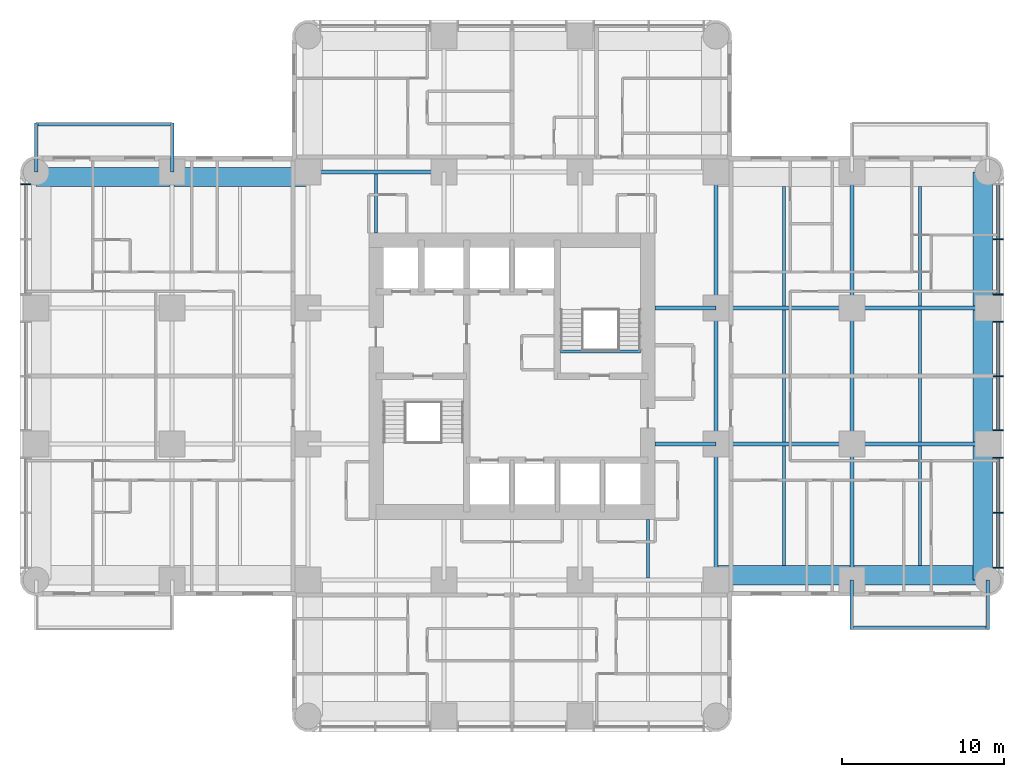
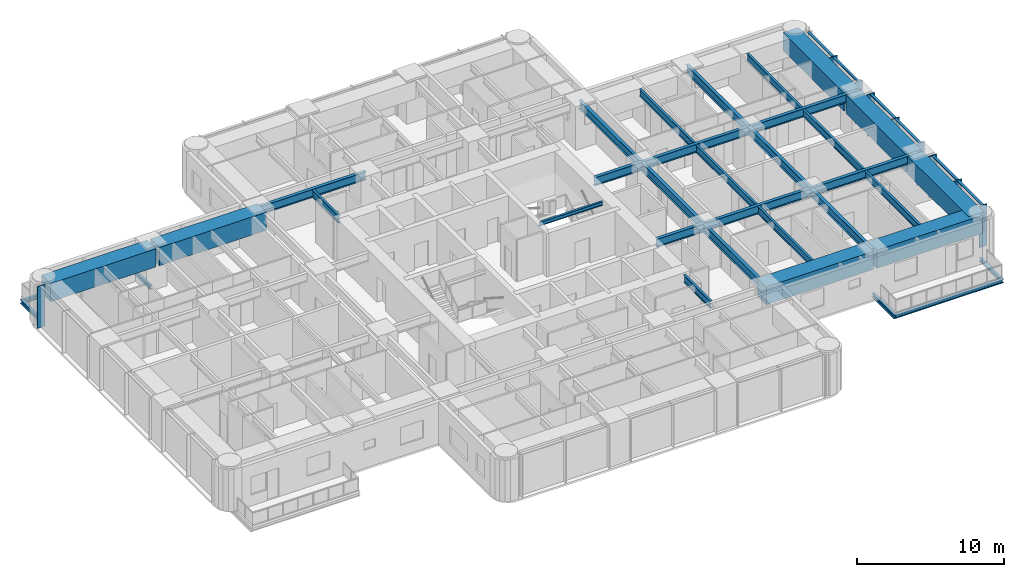
# One storey, part 3 of 15: 35 beams, 15 members, 2 elements without a shape of their own.
"""IFC4 building model written with IfcOpenShell, lengths in metres."""

from ifc_helpers import new_model, si_unit, direction, frame, origin, origin_2d, place, context, subcontext, project, spatial, rectangle, i_section, extrude, material, material_profile, profile_set, type_object, element, aggregate, save


model = new_model("IFC4")

# Units and contexts
model_context = context("Model", 3, precision=1e-05, world=origin(), true_north=direction((0.0, 1.0)))
body_context = subcontext(model_context, "Body", "Model", "MODEL_VIEW")
ifc_project = project(units=[si_unit("LENGTHUNIT", "METRE"), si_unit("AREAUNIT", "SQUARE_METRE"), si_unit("VOLUMEUNIT", "CUBIC_METRE"), si_unit("PLANEANGLEUNIT", "RADIAN"), si_unit("MASSUNIT", "GRAM", prefix="KILO")], contexts=[model_context])

# Site, building, storey
site_placement = place(None, origin())
site = spatial("IfcSite", under=ifc_project, at=site_placement, CompositionType="ELEMENT")
building_placement = place(site_placement, origin())
building = spatial("IfcBuilding", under=site, at=building_placement, Name="Torre Alcanfor", CompositionType="ELEMENT")
storey_placement = place(building_placement, frame((0.0, 0.0, 152.10009765625)))
storey = spatial("IfcBuildingStorey", under=building, at=storey_placement, Name="L39", CompositionType="ELEMENT", Elevation=152.10009765625)

# Beams
ifc_material_1 = material(Name="Steel ASTM A992 Grade 50", Category="steel")
ifc_material_profile_1 = material_profile(ifc_material_1, i_section(OverallWidth=0.205322265625, OverallDepth=0.309814453125, WebThickness=0.00927734375, FlangeThickness=0.016357421875, at=origin_2d()), Name="W12x50")
ifc_profile_set_1 = profile_set([ifc_material_profile_1], Name="Steel ASTM A992 Grade 50")
beam_type_1 = type_object("IfcBeamType", Name="Balcony cantilever beam W12x50", PredefinedType="BEAM", material=ifc_profile_set_1)
for number, where, z_axis, x_axis, name in (
    (1, (50.39990234375, 16.800048828125, -0.35498046875), (0.0, -1.0, 0.0), (1.0, 0.0, 0.0), "Balcony cantilever beam L39-E2 1"),
    (2, (58.800048828125, 16.800048828125, -0.35498046875), (0.0, -1.0, 0.0), (1.0, 0.0, 0.0), "Balcony cantilever beam L39-E2 2"),
    (3, (8.39990234375, 42.0, -0.35498046875), (0.0, 1.0, 0.0), (-1.0, 0.0, 0.0), "Balcony cantilever beam L39-W2 1"),
    (4, (0.0, 42.0, -0.35498046875), (0.0, 1.0, 0.0), (-1.0, 0.0, 0.0), "Balcony cantilever beam L39-W2 2"),
):
    element("IfcBeam", number, at=place(storey_placement, frame(where, z_axis=z_axis, x_axis=x_axis)), inside=storey, type_object=beam_type_1, Name=name, PredefinedType="BEAM", context=body_context, shape_type="SweptSolid", body=[
        extrude(i_section(OverallWidth=0.205322265625, OverallDepth=0.309814453125, WebThickness=0.00927734375, FlangeThickness=0.016357421875, at=origin_2d()), origin(), (0.0, 0.0, 1.0), 3.050048828125),
    ])
ifc_material_2 = material(Name="Steel ASTM A992 Grade 50", Category="steel")
ifc_material_profile_2 = material_profile(ifc_material_2, i_section(OverallWidth=0.203369140625, OverallDepth=0.30224609375, WebThickness=0.007568359375, FlangeThickness=0.01318359375, at=origin_2d()), Name="W12x40")
ifc_profile_set_2 = profile_set([ifc_material_profile_2], Name="Steel ASTM A992 Grade 50")
beam_type_2 = type_object("IfcBeamType", Name="Balcony edge trimmer W12x40", PredefinedType="BEAM", material=ifc_profile_set_2)
beam_1_placement = place(storey_placement, frame((50.39990234375, 13.851806640625, -0.351318359375), z_axis=(1.0, 0.0, 0.0), x_axis=(0.0, 1.0, 0.0)))
element("IfcBeam", 5, at=beam_1_placement, inside=storey, type_object=beam_type_2, Name="Balcony edge trimmer L39-E2", PredefinedType="BEAM", context=body_context, shape_type="SweptSolid", body=[
    extrude(i_section(OverallWidth=0.203369140625, OverallDepth=0.30224609375, WebThickness=0.007568359375, FlangeThickness=0.01318359375, at=origin_2d()), origin(), (0.0, 0.0, 1.0), 8.400146484375),
])
beam_2_placement = place(storey_placement, frame((8.39990234375, 44.9482421875, -0.351318359375), z_axis=(-1.0, 0.0, 0.0), x_axis=(0.0, -1.0, 0.0)))
element("IfcBeam", 6, at=beam_2_placement, inside=storey, type_object=beam_type_2, Name="Balcony edge trimmer L39-W2", PredefinedType="BEAM", context=body_context, shape_type="SweptSolid", body=[
    extrude(i_section(OverallWidth=0.203369140625, OverallDepth=0.30224609375, WebThickness=0.007568359375, FlangeThickness=0.01318359375, at=origin_2d()), origin(), (0.0, 0.0, 1.0), 8.39990234375),
])

# Curtain wall, member
ifc_material_3 = material(Name="Aluminium and glass", Category="aluminium")
curtain_wall_type = type_object("IfcCurtainWallType", Name="CW-A unitised apartment glazing with vertical FIN", PredefinedType="NOTDEFINED", material=ifc_material_3)
curtain_wall_1_placement = place(storey_placement, origin())
curtain_wall_1 = element("IfcCurtainWall", 7, at=curtain_wall_1_placement, inside=storey, type_object=curtain_wall_type, Name="Curtain wall CW-A L39 2", PredefinedType="NOTDEFINED")
ifc_material_4 = material(Name="Bronze anodised aluminium", Category="aluminium")
ifc_material_profile_3 = material_profile(ifc_material_4, rectangle(XDim=0.60009765625, YDim=0.06494140625, at=origin_2d()), Name="CW-A mullion 65x600")
ifc_profile_set_3 = profile_set([ifc_material_profile_3], Name="Bronze anodised aluminium")
member_type_1 = type_object("IfcMemberType", Name="CW-A mullion with vertical FIN 65x600", PredefinedType="MULLION", material=ifc_profile_set_3)
member_1_placement = place(storey_placement, frame((-0.64990234375, 41.24267578125, 0.0), z_axis=(0.0, 0.0, 1.0), x_axis=(1.0, 0.0, 0.0)))
member_1 = element("IfcMember", 8, at=member_1_placement, type_object=member_type_1, Name="CW-A mullion 1.1", PredefinedType="MULLION", context=body_context, shape_type="SweptSolid", body=[
    extrude(rectangle(XDim=0.60009765625, YDim=0.06494140625, at=origin_2d()), origin(), (0.0, 0.0, 1.0), 3.449951171875),
])
aggregate(curtain_wall_1, [member_1])

# Curtain wall, members
curtain_wall_2_placement = place(storey_placement, origin())
curtain_wall_2 = element("IfcCurtainWall", 9, at=curtain_wall_2_placement, inside=storey, type_object=curtain_wall_type, Name="Curtain wall CW-A L39 8", PredefinedType="NOTDEFINED")
member_2_placement = place(storey_placement, frame((59.449951171875, 17.557373046875, 0.0), z_axis=(0.0, 0.0, 1.0), x_axis=(-1.0, 0.0, 0.0)))
member_2 = element("IfcMember", 10, at=member_2_placement, type_object=member_type_1, Name="CW-A mullion 1.1", PredefinedType="MULLION", context=body_context, shape_type="SweptSolid", body=[
    extrude(rectangle(XDim=0.60009765625, YDim=0.06494140625, at=origin_2d()), origin(), (0.0, 0.0, 1.0), 3.449951171875),
])
member_3_placement = place(storey_placement, frame((59.449951171875, 20.9599609375, 0.0), z_axis=(0.0, 0.0, 1.0), x_axis=(-1.0, 0.0, 0.0)))
member_3 = element("IfcMember", 11, at=member_3_placement, type_object=member_type_1, Name="CW-A mullion 1.2", PredefinedType="MULLION", context=body_context, shape_type="SweptSolid", body=[
    extrude(rectangle(XDim=0.60009765625, YDim=0.06494140625, at=origin_2d()), origin(), (0.0, 0.0, 1.0), 3.449951171875),
])
member_4_placement = place(storey_placement, frame((59.449951171875, 24.362548828125, 0.0), z_axis=(0.0, 0.0, 1.0), x_axis=(-1.0, 0.0, 0.0)))
member_4 = element("IfcMember", 12, at=member_4_placement, type_object=member_type_1, Name="CW-A mullion 1.3", PredefinedType="MULLION", context=body_context, shape_type="SweptSolid", body=[
    extrude(rectangle(XDim=0.60009765625, YDim=0.06494140625, at=origin_2d()), origin(), (0.0, 0.0, 1.0), 3.449951171875),
])
member_5_placement = place(storey_placement, frame((59.449951171875, 26.03759765625, 0.0), z_axis=(0.0, 0.0, 1.0), x_axis=(-1.0, 0.0, 0.0)))
member_5 = element("IfcMember", 13, at=member_5_placement, type_object=member_type_1, Name="CW-A mullion 2.1", PredefinedType="MULLION", context=body_context, shape_type="SweptSolid", body=[
    extrude(rectangle(XDim=0.60009765625, YDim=0.06494140625, at=origin_2d()), origin(), (0.0, 0.0, 1.0), 3.449951171875),
])
member_6_placement = place(storey_placement, frame((59.449951171875, 29.39990234375, 0.0), z_axis=(0.0, 0.0, 1.0), x_axis=(-1.0, 0.0, 0.0)))
member_6 = element("IfcMember", 14, at=member_6_placement, type_object=member_type_1, Name="CW-A mullion 2.2", PredefinedType="MULLION", context=body_context, shape_type="SweptSolid", body=[
    extrude(rectangle(XDim=0.60009765625, YDim=0.06494140625, at=origin_2d()), origin(), (0.0, 0.0, 1.0), 3.449951171875),
])
member_7_placement = place(storey_placement, frame((59.449951171875, 32.762451171875, 0.0), z_axis=(0.0, 0.0, 1.0), x_axis=(-1.0, 0.0, 0.0)))
member_7 = element("IfcMember", 15, at=member_7_placement, type_object=member_type_1, Name="CW-A mullion 2.3", PredefinedType="MULLION", context=body_context, shape_type="SweptSolid", body=[
    extrude(rectangle(XDim=0.60009765625, YDim=0.06494140625, at=origin_2d()), origin(), (0.0, 0.0, 1.0), 3.449951171875),
])
member_8_placement = place(storey_placement, frame((59.449951171875, 34.4375, 0.0), z_axis=(0.0, 0.0, 1.0), x_axis=(-1.0, 0.0, 0.0)))
member_8 = element("IfcMember", 16, at=member_8_placement, type_object=member_type_1, Name="CW-A mullion 3.1", PredefinedType="MULLION", context=body_context, shape_type="SweptSolid", body=[
    extrude(rectangle(XDim=0.60009765625, YDim=0.06494140625, at=origin_2d()), origin(), (0.0, 0.0, 1.0), 3.449951171875),
])
member_9_placement = place(storey_placement, frame((59.449951171875, 37.840087890625, 0.0), z_axis=(0.0, 0.0, 1.0), x_axis=(-1.0, 0.0, 0.0)))
member_9 = element("IfcMember", 17, at=member_9_placement, type_object=member_type_1, Name="CW-A mullion 3.2", PredefinedType="MULLION", context=body_context, shape_type="SweptSolid", body=[
    extrude(rectangle(XDim=0.60009765625, YDim=0.06494140625, at=origin_2d()), origin(), (0.0, 0.0, 1.0), 3.449951171875),
])
ifc_material_5 = material(Name="Extruded aluminium", Category="aluminium")
ifc_material_profile_4 = material_profile(ifc_material_5, rectangle(XDim=0.199951171875, YDim=0.06494140625, at=origin_2d()), Name="CW-A transom 200x65")
ifc_profile_set_4 = profile_set([ifc_material_profile_4], Name="Extruded aluminium")
member_type_2 = type_object("IfcMemberType", Name="CW-A transom 65x200", PredefinedType="USERDEFINED", material=ifc_profile_set_4)
member_10_placement = place(storey_placement, frame((59.449951171875, 17.58984375, 3.41748046875), z_axis=(0.0, 1.0, 0.0), x_axis=(-1.0, 0.0, 0.0)))
member_10 = element("IfcMember", 18, at=member_10_placement, type_object=member_type_2, Name="CW-A transom 1.1.2", ObjectType="TRANSOM", PredefinedType="USERDEFINED", context=body_context, shape_type="SweptSolid", body=[
    extrude(rectangle(XDim=0.199951171875, YDim=0.06494140625, at=origin_2d()), origin(), (0.0, 0.0, 1.0), 3.337646484375),
])
member_11_placement = place(storey_placement, frame((59.449951171875, 20.992431640625, 3.41748046875), z_axis=(0.0, 1.0, 0.0), x_axis=(-1.0, 0.0, 0.0)))
member_11 = element("IfcMember", 19, at=member_11_placement, type_object=member_type_2, Name="CW-A transom 1.2.2", ObjectType="TRANSOM", PredefinedType="USERDEFINED", context=body_context, shape_type="SweptSolid", body=[
    extrude(rectangle(XDim=0.199951171875, YDim=0.06494140625, at=origin_2d()), origin(), (0.0, 0.0, 1.0), 3.337646484375),
])
member_12_placement = place(storey_placement, frame((59.449951171875, 26.070068359375, 3.41748046875), z_axis=(0.0, 1.0, 0.0), x_axis=(-1.0, 0.0, 0.0)))
member_12 = element("IfcMember", 20, at=member_12_placement, type_object=member_type_2, Name="CW-A transom 2.1.2", ObjectType="TRANSOM", PredefinedType="USERDEFINED", context=body_context, shape_type="SweptSolid", body=[
    extrude(rectangle(XDim=0.199951171875, YDim=0.06494140625, at=origin_2d()), origin(), (0.0, 0.0, 1.0), 3.29736328125),
])
member_13_placement = place(storey_placement, frame((59.449951171875, 29.4326171875, 3.41748046875), z_axis=(0.0, 1.0, 0.0), x_axis=(-1.0, 0.0, 0.0)))
member_13 = element("IfcMember", 21, at=member_13_placement, type_object=member_type_2, Name="CW-A transom 2.2.2", ObjectType="TRANSOM", PredefinedType="USERDEFINED", context=body_context, shape_type="SweptSolid", body=[
    extrude(rectangle(XDim=0.199951171875, YDim=0.06494140625, at=origin_2d()), origin(), (0.0, 0.0, 1.0), 3.29736328125),
])
member_14_placement = place(storey_placement, frame((59.449951171875, 34.469970703125, 3.41748046875), z_axis=(0.0, 1.0, 0.0), x_axis=(-1.0, 0.0, 0.0)))
member_14 = element("IfcMember", 22, at=member_14_placement, type_object=member_type_2, Name="CW-A transom 3.1.2", ObjectType="TRANSOM", PredefinedType="USERDEFINED", context=body_context, shape_type="SweptSolid", body=[
    extrude(rectangle(XDim=0.199951171875, YDim=0.06494140625, at=origin_2d()), origin(), (0.0, 0.0, 1.0), 3.337646484375),
])
member_15_placement = place(storey_placement, frame((59.449951171875, 37.87255859375, 3.41748046875), z_axis=(0.0, 1.0, 0.0), x_axis=(-1.0, 0.0, 0.0)))
member_15 = element("IfcMember", 23, at=member_15_placement, type_object=member_type_2, Name="CW-A transom 3.2.2", ObjectType="TRANSOM", PredefinedType="USERDEFINED", context=body_context, shape_type="SweptSolid", body=[
    extrude(rectangle(XDim=0.199951171875, YDim=0.06494140625, at=origin_2d()), origin(), (0.0, 0.0, 1.0), 3.337646484375),
])
aggregate(curtain_wall_2, [member_2, member_3, member_4, member_10, member_11, member_5, member_6, member_7, member_12, member_13, member_8, member_9, member_14, member_15])

# Beams
ifc_material_6 = material(Name="Steel ASTM A992 Grade 50", Category="steel")
ifc_material_profile_5 = material_profile(ifc_material_6, i_section(OverallWidth=0.25390625, OverallDepth=0.683349609375, WebThickness=0.012451171875, FlangeThickness=0.01904296875, at=origin_2d()), Name="W27x94")
ifc_profile_set_5 = profile_set([ifc_material_profile_5], Name="Steel ASTM A992 Grade 50")
beam_type_3 = type_object("IfcBeamType", Name="Girder W27x94", PredefinedType="BEAM", material=ifc_profile_set_5)
beam_3_placement = place(storey_placement, frame((42.0, 25.199951171875, 3.108154296875), z_axis=(1.0, 0.0, 0.0), x_axis=(0.0, 1.0, 0.0)))
element("IfcBeam", 24, at=beam_3_placement, inside=storey, type_object=beam_type_3, Name="Beam 6F-7F under L40", PredefinedType="BEAM", context=body_context, shape_type="SweptSolid", body=[
    extrude(i_section(OverallWidth=0.25390625, OverallDepth=0.683349609375, WebThickness=0.012451171875, FlangeThickness=0.01904296875, at=origin_2d()), origin(), (0.0, 0.0, 1.0), 8.39990234375),
])
beam_4_placement = place(storey_placement, frame((50.39990234375, 25.199951171875, 3.108154296875), z_axis=(1.0, 0.0, 0.0), x_axis=(0.0, 1.0, 0.0)))
element("IfcBeam", 25, at=beam_4_placement, inside=storey, type_object=beam_type_3, Name="Beam 7F-8F under L40", PredefinedType="BEAM", context=body_context, shape_type="SweptSolid", body=[
    extrude(i_section(OverallWidth=0.25390625, OverallDepth=0.683349609375, WebThickness=0.012451171875, FlangeThickness=0.01904296875, at=origin_2d()), origin(), (0.0, 0.0, 1.0), 8.400146484375),
])
beam_5_placement = place(storey_placement, frame((42.0, 33.60009765625, 3.108154296875), z_axis=(1.0, 0.0, 0.0), x_axis=(0.0, 1.0, 0.0)))
element("IfcBeam", 26, at=beam_5_placement, inside=storey, type_object=beam_type_3, Name="Beam 6G-7G under L40", PredefinedType="BEAM", context=body_context, shape_type="SweptSolid", body=[
    extrude(i_section(OverallWidth=0.25390625, OverallDepth=0.683349609375, WebThickness=0.012451171875, FlangeThickness=0.01904296875, at=origin_2d()), origin(), (0.0, 0.0, 1.0), 8.39990234375),
])
beam_6_placement = place(storey_placement, frame((50.39990234375, 33.60009765625, 3.108154296875), z_axis=(1.0, 0.0, 0.0), x_axis=(0.0, 1.0, 0.0)))
element("IfcBeam", 27, at=beam_6_placement, inside=storey, type_object=beam_type_3, Name="Beam 7G-8G under L40", PredefinedType="BEAM", context=body_context, shape_type="SweptSolid", body=[
    extrude(i_section(OverallWidth=0.25390625, OverallDepth=0.683349609375, WebThickness=0.012451171875, FlangeThickness=0.01904296875, at=origin_2d()), origin(), (0.0, 0.0, 1.0), 8.400146484375),
])
for number, where, z_axis, x_axis, name in (
    (28, (16.800048828125, 42.0, 3.108154296875), (1.0, 0.0, 0.0), (0.0, 1.0, 0.0), "Beam 3H-4H under L40"),
    (29, (42.0, 16.800048828125, 3.108154296875), (0.0, 1.0, 0.0), (-1.0, 0.0, 0.0), "Beam 6E-6F under L40"),
):
    element("IfcBeam", number, at=place(storey_placement, frame(where, z_axis=z_axis, x_axis=x_axis)), inside=storey, type_object=beam_type_3, Name=name, PredefinedType="BEAM", context=body_context, shape_type="SweptSolid", body=[
        extrude(i_section(OverallWidth=0.25390625, OverallDepth=0.683349609375, WebThickness=0.012451171875, FlangeThickness=0.01904296875, at=origin_2d()), origin(), (0.0, 0.0, 1.0), 8.39990234375),
    ])
beam_7_placement = place(storey_placement, frame((42.0, 25.199951171875, 3.108154296875), z_axis=(0.0, 1.0, 0.0), x_axis=(-1.0, 0.0, 0.0)))
element("IfcBeam", 30, at=beam_7_placement, inside=storey, type_object=beam_type_3, Name="Beam 6F-6G under L40", PredefinedType="BEAM", context=body_context, shape_type="SweptSolid", body=[
    extrude(i_section(OverallWidth=0.25390625, OverallDepth=0.683349609375, WebThickness=0.012451171875, FlangeThickness=0.01904296875, at=origin_2d()), origin(), (0.0, 0.0, 1.0), 8.400146484375),
])
for number, where, z_axis, x_axis, name in (
    (31, (42.0, 33.60009765625, 3.108154296875), (0.0, 1.0, 0.0), (-1.0, 0.0, 0.0), "Beam 6G-6H under L40"),
    (32, (50.39990234375, 16.800048828125, 3.108154296875), (0.0, 1.0, 0.0), (-1.0, 0.0, 0.0), "Beam 7E-7F under L40"),
):
    element("IfcBeam", number, at=place(storey_placement, frame(where, z_axis=z_axis, x_axis=x_axis)), inside=storey, type_object=beam_type_3, Name=name, PredefinedType="BEAM", context=body_context, shape_type="SweptSolid", body=[
        extrude(i_section(OverallWidth=0.25390625, OverallDepth=0.683349609375, WebThickness=0.012451171875, FlangeThickness=0.01904296875, at=origin_2d()), origin(), (0.0, 0.0, 1.0), 8.39990234375),
    ])
beam_8_placement = place(storey_placement, frame((50.39990234375, 25.199951171875, 3.108154296875), z_axis=(0.0, 1.0, 0.0), x_axis=(-1.0, 0.0, 0.0)))
element("IfcBeam", 33, at=beam_8_placement, inside=storey, type_object=beam_type_3, Name="Beam 7F-7G under L40", PredefinedType="BEAM", context=body_context, shape_type="SweptSolid", body=[
    extrude(i_section(OverallWidth=0.25390625, OverallDepth=0.683349609375, WebThickness=0.012451171875, FlangeThickness=0.01904296875, at=origin_2d()), origin(), (0.0, 0.0, 1.0), 8.400146484375),
])
beam_9_placement = place(storey_placement, frame((50.39990234375, 33.60009765625, 3.108154296875), z_axis=(0.0, 1.0, 0.0), x_axis=(-1.0, 0.0, 0.0)))
element("IfcBeam", 34, at=beam_9_placement, inside=storey, type_object=beam_type_3, Name="Beam 7G-7H under L40", PredefinedType="BEAM", context=body_context, shape_type="SweptSolid", body=[
    extrude(i_section(OverallWidth=0.25390625, OverallDepth=0.683349609375, WebThickness=0.012451171875, FlangeThickness=0.01904296875, at=origin_2d()), origin(), (0.0, 0.0, 1.0), 8.39990234375),
])
ifc_material_7 = material(Name="Steel ASTM A992 Grade 50", Category="steel")
ifc_material_profile_6 = material_profile(ifc_material_7, i_section(OverallWidth=0.25390625, OverallDepth=0.683349609375, WebThickness=0.012451171875, FlangeThickness=0.01904296875, at=origin_2d()), Name="W27x94")
ifc_profile_set_6 = profile_set([ifc_material_profile_6], Name="Steel ASTM A992 Grade 50")
beam_type_4 = type_object("IfcBeamType", Name="Girder, part bay W27x94", PredefinedType="BEAM", material=ifc_profile_set_6)
for number, where, z_axis, x_axis, name in (
    (35, (42.0, 25.199951171875, 3.108154296875), (-1.0, 0.0, 0.0), (0.0, -1.0, 0.0), "Beam 6F-38_25F under L40"),
    (36, (42.0, 33.60009765625, 3.108154296875), (-1.0, 0.0, 0.0), (0.0, -1.0, 0.0), "Beam 6G-38_25G under L40"),
):
    element("IfcBeam", number, at=place(storey_placement, frame(where, z_axis=z_axis, x_axis=x_axis)), inside=storey, type_object=beam_type_4, Name=name, PredefinedType="BEAM", context=body_context, shape_type="SweptSolid", body=[
        extrude(i_section(OverallWidth=0.25390625, OverallDepth=0.683349609375, WebThickness=0.012451171875, FlangeThickness=0.01904296875, at=origin_2d()), origin(), (0.0, 0.0, 1.0), 3.75),
    ])
ifc_material_8 = material(Name="Concrete f'c 70 MPa", Category="concrete")
ifc_material_profile_7 = material_profile(ifc_material_8, rectangle(XDim=1.199951171875, YDim=1.5, at=origin_2d()), Name="1200x1500")
ifc_profile_set_7 = profile_set([ifc_material_profile_7], Name="Concrete f'c 70 MPa")
beam_type_5 = type_object("IfcBeamType", Name="RC perimeter beam 1200x1500", PredefinedType="BEAM", material=ifc_profile_set_7)
beam_10_placement = place(storey_placement, frame((41.873046875, 17.10009765625, 2.699951171875), z_axis=(1.0, 0.0, 0.0), x_axis=(0.0, 1.0, 0.0)))
element("IfcBeam", 37, at=beam_10_placement, inside=storey, type_object=beam_type_5, Name="Beam 6E-7E under L40", PredefinedType="BEAM", context=body_context, shape_type="SweptSolid", body=[
    extrude(rectangle(XDim=1.199951171875, YDim=1.5, at=origin_2d()), origin(), (0.0, 0.0, 1.0), 8.39990234375),
])
for number, where, z_axis, x_axis, name in (
    (38, (50.527099609375, 17.10009765625, 2.699951171875), (1.0, 0.0, 0.0), (0.0, 1.0, 0.0), "Beam 7E-8E under L40"),
    (39, (0.0, 41.699951171875, 2.699951171875), (1.0, 0.0, 0.0), (0.0, 1.0, 0.0), "Beam 1H-2H under L40"),
):
    element("IfcBeam", number, at=place(storey_placement, frame(where, z_axis=z_axis, x_axis=x_axis)), inside=storey, type_object=beam_type_5, Name=name, PredefinedType="BEAM", context=body_context, shape_type="SweptSolid", body=[
        extrude(rectangle(XDim=1.199951171875, YDim=1.5, at=origin_2d()), origin(), (0.0, 0.0, 1.0), 8.27294921875),
    ])
beam_11_placement = place(storey_placement, frame((8.527099609375, 41.699951171875, 2.699951171875), z_axis=(1.0, 0.0, 0.0), x_axis=(0.0, 1.0, 0.0)))
element("IfcBeam", 40, at=beam_11_placement, inside=storey, type_object=beam_type_5, Name="Beam 2H-3H under L40", PredefinedType="BEAM", context=body_context, shape_type="SweptSolid", body=[
    extrude(rectangle(XDim=1.199951171875, YDim=1.5, at=origin_2d()), origin(), (0.0, 0.0, 1.0), 8.39990234375),
])
beam_12_placement = place(storey_placement, frame((58.5, 16.800048828125, 2.699951171875), z_axis=(0.0, 1.0, 0.0), x_axis=(-1.0, 0.0, 0.0)))
element("IfcBeam", 41, at=beam_12_placement, inside=storey, type_object=beam_type_5, Name="Beam 8E-8F under L40", PredefinedType="BEAM", context=body_context, shape_type="SweptSolid", body=[
    extrude(rectangle(XDim=1.199951171875, YDim=1.5, at=origin_2d()), origin(), (0.0, 0.0, 1.0), 8.27294921875),
])
beam_13_placement = place(storey_placement, frame((58.5, 25.326904296875, 2.699951171875), z_axis=(0.0, 1.0, 0.0), x_axis=(-1.0, 0.0, 0.0)))
element("IfcBeam", 42, at=beam_13_placement, inside=storey, type_object=beam_type_5, Name="Beam 8F-8G under L40", PredefinedType="BEAM", context=body_context, shape_type="SweptSolid", body=[
    extrude(rectangle(XDim=1.199951171875, YDim=1.5, at=origin_2d()), origin(), (0.0, 0.0, 1.0), 8.14599609375),
])
beam_14_placement = place(storey_placement, frame((58.5, 33.72705078125, 2.699951171875), z_axis=(0.0, 1.0, 0.0), x_axis=(-1.0, 0.0, 0.0)))
element("IfcBeam", 43, at=beam_14_placement, inside=storey, type_object=beam_type_5, Name="Beam 8G-8H under L40", PredefinedType="BEAM", context=body_context, shape_type="SweptSolid", body=[
    extrude(rectangle(XDim=1.199951171875, YDim=1.5, at=origin_2d()), origin(), (0.0, 0.0, 1.0), 8.27294921875),
])
ifc_material_9 = material(Name="Steel ASTM A992 Grade 50", Category="steel")
ifc_material_profile_8 = material_profile(ifc_material_9, i_section(OverallWidth=0.1787109375, OverallDepth=0.60205078125, WebThickness=0.010986328125, FlangeThickness=0.014892578125, at=origin_2d()), Name="W24x62")
ifc_profile_set_8 = profile_set([ifc_material_profile_8], Name="Steel ASTM A992 Grade 50")
beam_type_6 = type_object("IfcBeamType", Name="Secondary beam W24x62", PredefinedType="BEAM", material=ifc_profile_set_8)
beam_15_placement = place(storey_placement, frame((46.199951171875, 17.699951171875, 3.14892578125), z_axis=(0.0, 1.0, 0.0), x_axis=(-1.0, 0.0, 0.0)))
element("IfcBeam", 44, at=beam_15_placement, inside=storey, type_object=beam_type_6, Name="Beam 46_2E-46_2F under L40", PredefinedType="BEAM", context=body_context, shape_type="SweptSolid", body=[
    extrude(i_section(OverallWidth=0.1787109375, OverallDepth=0.60205078125, WebThickness=0.010986328125, FlangeThickness=0.014892578125, at=origin_2d()), origin(), (0.0, 0.0, 1.0), 7.373046875),
])
beam_16_placement = place(storey_placement, frame((46.199951171875, 25.326904296875, 3.14892578125), z_axis=(0.0, 1.0, 0.0), x_axis=(-1.0, 0.0, 0.0)))
element("IfcBeam", 45, at=beam_16_placement, inside=storey, type_object=beam_type_6, Name="Beam 46_2F-46_2G under L40", PredefinedType="BEAM", context=body_context, shape_type="SweptSolid", body=[
    extrude(i_section(OverallWidth=0.1787109375, OverallDepth=0.60205078125, WebThickness=0.010986328125, FlangeThickness=0.014892578125, at=origin_2d()), origin(), (0.0, 0.0, 1.0), 8.14599609375),
])
for number, where, z_axis, x_axis, name in (
    (46, (46.199951171875, 33.72705078125, 3.14892578125), (0.0, 1.0, 0.0), (-1.0, 0.0, 0.0), "Beam 46_2G-46_2H under L40"),
    (47, (54.60009765625, 17.699951171875, 3.14892578125), (0.0, 1.0, 0.0), (-1.0, 0.0, 0.0), "Beam 54_6E-54_6F under L40"),
):
    element("IfcBeam", number, at=place(storey_placement, frame(where, z_axis=z_axis, x_axis=x_axis)), inside=storey, type_object=beam_type_6, Name=name, PredefinedType="BEAM", context=body_context, shape_type="SweptSolid", body=[
        extrude(i_section(OverallWidth=0.1787109375, OverallDepth=0.60205078125, WebThickness=0.010986328125, FlangeThickness=0.014892578125, at=origin_2d()), origin(), (0.0, 0.0, 1.0), 7.373046875),
    ])
beam_17_placement = place(storey_placement, frame((54.60009765625, 25.326904296875, 3.14892578125), z_axis=(0.0, 1.0, 0.0), x_axis=(-1.0, 0.0, 0.0)))
element("IfcBeam", 48, at=beam_17_placement, inside=storey, type_object=beam_type_6, Name="Beam 54_6F-54_6G under L40", PredefinedType="BEAM", context=body_context, shape_type="SweptSolid", body=[
    extrude(i_section(OverallWidth=0.1787109375, OverallDepth=0.60205078125, WebThickness=0.010986328125, FlangeThickness=0.014892578125, at=origin_2d()), origin(), (0.0, 0.0, 1.0), 8.14599609375),
])
beam_18_placement = place(storey_placement, frame((54.60009765625, 33.72705078125, 3.14892578125), z_axis=(0.0, 1.0, 0.0), x_axis=(-1.0, 0.0, 0.0)))
element("IfcBeam", 49, at=beam_18_placement, inside=storey, type_object=beam_type_6, Name="Beam 54_6G-54_6H under L40", PredefinedType="BEAM", context=body_context, shape_type="SweptSolid", body=[
    extrude(i_section(OverallWidth=0.1787109375, OverallDepth=0.60205078125, WebThickness=0.010986328125, FlangeThickness=0.014892578125, at=origin_2d()), origin(), (0.0, 0.0, 1.0), 7.373046875),
])
ifc_material_10 = material(Name="Steel ASTM A992 Grade 50", Category="steel")
ifc_material_profile_9 = material_profile(ifc_material_10, i_section(OverallWidth=0.1787109375, OverallDepth=0.60205078125, WebThickness=0.010986328125, FlangeThickness=0.014892578125, at=origin_2d()), Name="W24x62")
ifc_profile_set_9 = profile_set([ifc_material_profile_9], Name="Steel ASTM A992 Grade 50")
beam_type_7 = type_object("IfcBeamType", Name="Secondary beam, part bay W24x62", PredefinedType="BEAM", material=ifc_profile_set_9)
for number, where, z_axis, x_axis, name in (
    (50, (21.0, 38.25, 3.14892578125), (0.0, 1.0, 0.0), (-1.0, 0.0, 0.0), "Beam 2138_25-21H under L40"),
    (51, (37.800048828125, 16.927001953125, 3.14892578125), (0.0, 1.0, 0.0), (-1.0, 0.0, 0.0), "Beam 37_8E-37_820_55 under L40"),
):
    element("IfcBeam", number, at=place(storey_placement, frame(where, z_axis=z_axis, x_axis=x_axis)), inside=storey, type_object=beam_type_7, Name=name, PredefinedType="BEAM", context=body_context, shape_type="SweptSolid", body=[
        extrude(i_section(OverallWidth=0.1787109375, OverallDepth=0.60205078125, WebThickness=0.010986328125, FlangeThickness=0.014892578125, at=origin_2d()), origin(), (0.0, 0.0, 1.0), 3.623046875),
    ])
ifc_material_11 = material(Name="Steel ASTM A992 Grade 50", Category="steel")
ifc_material_profile_10 = material_profile(ifc_material_11, i_section(OverallWidth=0.164794921875, OverallDepth=0.309814453125, WebThickness=0.005859375, FlangeThickness=0.009765625, at=origin_2d()), Name="W12x26")
ifc_profile_set_10 = profile_set([ifc_material_profile_10], Name="Steel ASTM A992 Grade 50")
beam_type_8 = type_object("IfcBeamType", Name="Stair landing beam W12x26", PredefinedType="BEAM", material=ifc_profile_set_10)
beam_19_placement = place(storey_placement, frame((32.39990234375, 30.91259765625, 3.244873046875), z_axis=(1.0, 0.0, 0.0), x_axis=(0.0, 1.0, 0.0)))
element("IfcBeam", 52, at=beam_19_placement, inside=storey, type_object=beam_type_8, Name="Landing trimmer S2 L40", PredefinedType="BEAM", context=body_context, shape_type="SweptSolid", body=[
    extrude(i_section(OverallWidth=0.164794921875, OverallDepth=0.309814453125, WebThickness=0.005859375, FlangeThickness=0.009765625, at=origin_2d()), origin(), (0.0, 0.0, 1.0), 4.9501953125),
])

save(model, "model.ifc")
